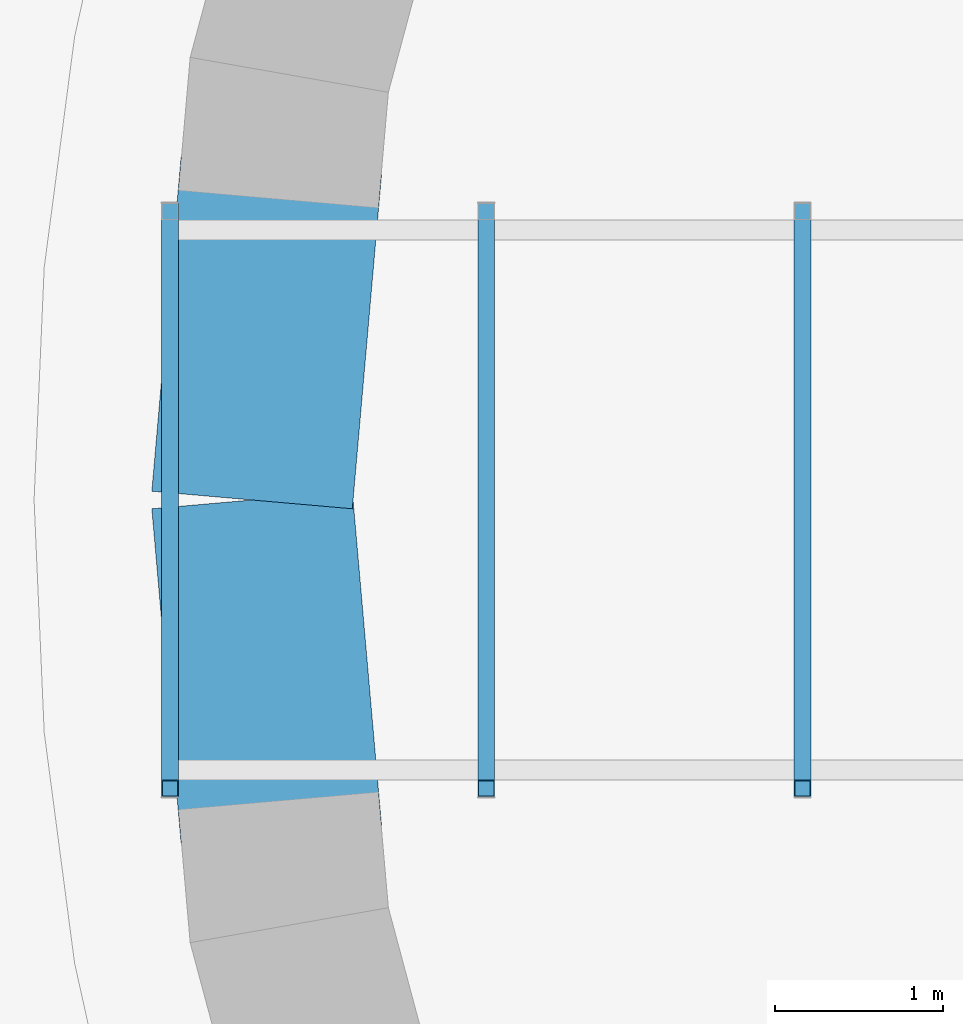
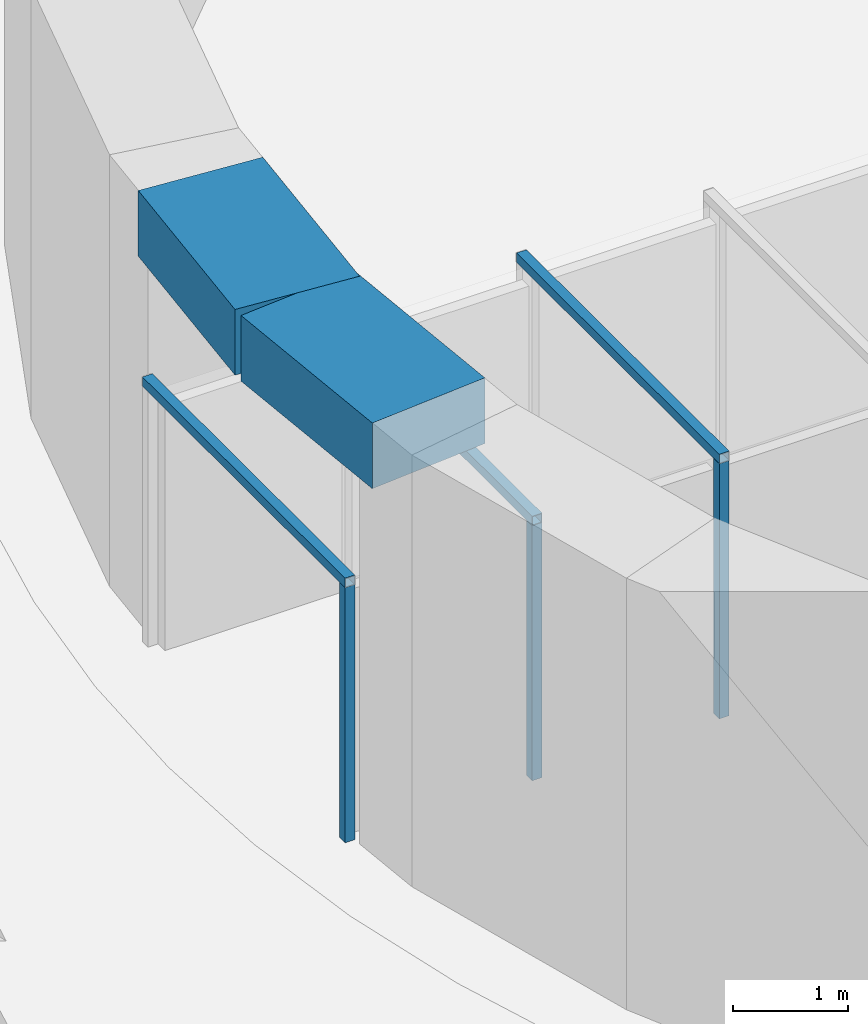
# One storey, part 7 of 85: 6 members, 2 beams, 1 element without a shape of its own.
"""IFC4 building model written with IfcOpenShell, lengths in metres."""

import ifcopenshell
import ifcopenshell.guid

model = None  # the IFC model being written
_history = None  # IfcOwnerHistory: only IFC2X3 demands one
_inside = {}  # id of a spatial element -> (the spatial element, [elements in it])
_under = {}  # id of a project, library or spatial element -> (it, [spatial elements below it])
_declared = {}  # id of a project -> (the project, [libraries it declares])
_typed = {}  # id of a type object -> (the type object, [elements of that type])
_made_of = {}  # id of a material, layer set ... -> (it, [elements and type objects made of it])


def new_model(schema):
    """Start an empty IFC model of exactly this schema.

    Asked for "IFC4X3", IfcOpenShell would pick the latest addendum, in which some entities
    have other attributes; the version numbers below select the first issue.
    IFC2X3 requires an IfcOwnerHistory on every rooted entity: one is made here for all.
    """
    global model, _history
    if schema == "IFC4X3":
        model = ifcopenshell.file(schema_version=(4, 3, 0, 0))
    else:
        model = ifcopenshell.file(schema=schema)
    _inside.clear()
    _under.clear()
    _declared.clear()
    _typed.clear()
    _made_of.clear()
    _history = None
    if model.schema == "IFC2X3":
        org = make("IfcOrganization", Name="unknown")
        user = make(
            "IfcPersonAndOrganization",
            ThePerson=make("IfcPerson", FamilyName="unknown"),
            TheOrganization=org,
        )
        app = make(
            "IfcApplication",
            ApplicationDeveloper=org,
            Version="unknown",
            ApplicationFullName="unknown",
            ApplicationIdentifier="unknown",
        )
        _history = make(
            "IfcOwnerHistory",
            OwningUser=user,
            OwningApplication=app,
            ChangeAction="ADDED",
            CreationDate=0,
        )
    return model


def make(cls, **values):
    """One entity of the class cls with the attributes given. An attribute that is None is left unset."""
    return model.create_entity(
        cls, **{name: value for name, value in values.items() if value is not None}
    )


def rooted(cls, **values):
    """An entity with a GlobalId (a new one), such as an element, a storey or a relation."""
    return make(cls, GlobalId=ifcopenshell.guid.new(), OwnerHistory=_history, **values)


def si_unit(unit_type, name, prefix=None):
    """IfcSIUnit, for example si_unit("LENGTHUNIT", "METRE", prefix="MILLI")."""
    return make("IfcSIUnit", UnitType=unit_type, Prefix=prefix, Name=name)


def assignment(units):
    """IfcUnitAssignment: the units of a project."""
    return None if units is None else make("IfcUnitAssignment", Units=units)


def point(xyz):
    """IfcCartesianPoint."""
    return None if xyz is None else make("IfcCartesianPoint", Coordinates=xyz)


def direction(xyz):
    """IfcDirection."""
    return None if xyz is None else make("IfcDirection", DirectionRatios=xyz)


def frame(location, z_axis=None, x_axis=None):
    """IfcAxis2Placement3D, a coordinate frame: its origin and axes. An axis left out is left unset."""
    return make(
        "IfcAxis2Placement3D",
        Location=point(location),
        Axis=direction(z_axis),
        RefDirection=direction(x_axis),
    )


def frame_2d(location, x_axis=None):
    """IfcAxis2Placement2D, a coordinate frame in the plane: its origin and x axis."""
    return make(
        "IfcAxis2Placement2D", Location=point(location), RefDirection=direction(x_axis)
    )


def origin():
    """The frame at (0, 0, 0) with its axes left unset."""
    return frame((0.0, 0.0, 0.0))


def origin_2d():
    """The frame at (0, 0) in the plane with its x axis left unset."""
    return frame_2d((0.0, 0.0))


def place(relative_to, where):
    """IfcLocalPlacement: puts the frame where relative to a parent placement (None: the world)."""
    return make(
        "IfcLocalPlacement", PlacementRelTo=relative_to, RelativePlacement=where
    )


def context(
    kind, dimensions, precision=None, world=None, true_north=None, identifier=None
):
    """IfcGeometricRepresentationContext, for example the 3D "Model" context."""
    return make(
        "IfcGeometricRepresentationContext",
        ContextIdentifier=identifier,
        ContextType=kind,
        CoordinateSpaceDimension=dimensions,
        Precision=precision,
        WorldCoordinateSystem=world,
        TrueNorth=true_north,
    )


def subcontext(parent, identifier, kind, view, scale=None):
    """IfcGeometricRepresentationSubContext, for example "Body" below "Model"."""
    return make(
        "IfcGeometricRepresentationSubContext",
        ContextIdentifier=identifier,
        ContextType=kind,
        ParentContext=parent,
        TargetScale=scale,
        TargetView=view,
    )


def project(units=None, contexts=None):
    """IfcProject with its units and contexts."""
    return rooted(
        "IfcProject",
        Name="project",
        RepresentationContexts=contexts,
        UnitsInContext=assignment(units),
    )


def spatial(cls, under=None, at=None, **own):
    """A site, building, storey or space (cls), placed at a placement, below another one or the project."""
    s = rooted(cls, ObjectPlacement=at, **own)
    if under is not None:
        _under.setdefault(under.id(), (under, []))[1].append(s)
    return s


def profile(cls, at=None, kind="AREA", **sizes):
    """A parametric profile (cls). Its sizes go by their IFC names, for example OverallWidth=200.0."""
    return make(cls, ProfileType=kind, Position=at, **sizes)


def rectangle(**sizes):
    """IfcRectangleProfileDef."""
    return profile("IfcRectangleProfileDef", **sizes)


def hollow_rectangle(**sizes):
    """IfcRectangleHollowProfileDef."""
    return profile("IfcRectangleHollowProfileDef", **sizes)


def extrude(swept, where, along, depth):
    """IfcExtrudedAreaSolid: the profile swept, set in the frame where, extruded along a direction by depth."""
    return make(
        "IfcExtrudedAreaSolid",
        SweptArea=swept,
        Position=where,
        ExtrudedDirection=direction(along),
        Depth=depth,
    )


def shape(context_of_items, identifier, shape_type, items):
    """IfcShapeRepresentation: the items that make up one representation, for example the "Body"."""
    return make(
        "IfcShapeRepresentation",
        ContextOfItems=context_of_items,
        RepresentationIdentifier=identifier,
        RepresentationType=shape_type,
        Items=items,
    )


def material(Name=None, Category=None):
    """IfcMaterial."""
    return make("IfcMaterial", Name=Name, Category=Category)


def material_profile(
    of_material, cross_section, Name=None, Category=None, Priority=None
):
    """IfcMaterialProfile: a cross section and its material."""
    return make(
        "IfcMaterialProfile",
        Name=Name,
        Material=of_material,
        Profile=cross_section,
        Priority=Priority,
        Category=Category,
    )


def profile_set(profiles, Name=None, composite=None):
    """IfcMaterialProfileSet."""
    return make(
        "IfcMaterialProfileSet",
        Name=Name,
        MaterialProfiles=profiles,
        CompositeProfile=composite,
    )


def made_of(thing, what):
    """Note that an element or type object is made of a material, layer set ...; save() writes the relation."""
    if what is not None:
        _made_of.setdefault(what.id(), (what, []))[1].append(thing)
    return thing


def type_object(cls, material=None, **own):
    """A type object (cls), such as IfcWallType, which elements share."""
    return made_of(rooted(cls, **own), material)


def element(
    cls,
    number,
    at=None,
    inside=None,
    cuts=None,
    type_object=None,
    material=None,
    context=None,
    identifier="Body",
    shape_type=None,
    held_by="IfcProductDefinitionShape",
    body=None,
    shapes=None,
    **own,
):
    """One element of the class cls, such as IfcWall. Its Tag is "e" and its number.

    at: its placement. inside: the storey or other place that contains it. cuts: it is an
    opening in that element (IfcRelVoidsElement). A single representation is given by context,
    identifier, shape_type and body (its items); several are given by shapes. held_by: the class
    of the entity that holds the representations. save() writes the other relations.
    """
    e = rooted(cls, Tag="e%d" % number, ObjectPlacement=at, **own)
    if body is not None:
        shapes = [shape(context, identifier, shape_type, body)]
    if shapes is not None:
        e.Representation = make(held_by, Representations=shapes)
    if inside is not None:
        _inside.setdefault(inside.id(), (inside, []))[1].append(e)
    if cuts is not None:
        rooted(
            "IfcRelVoidsElement", RelatingBuildingElement=cuts, RelatedOpeningElement=e
        )
    if type_object is not None:
        _typed.setdefault(type_object.id(), (type_object, []))[1].append(e)
    return made_of(e, material)


def aggregate(whole, parts):
    """IfcRelAggregates: a whole, such as a stair, and the parts it consists of."""
    return rooted("IfcRelAggregates", RelatingObject=whole, RelatedObjects=parts)


def save(model, path):
    """Write the relations noted so far, then the file.

    IfcRelAggregates (storeys below a building ...), IfcRelContainedInSpatialStructure (elements
    in a storey), IfcRelDefinesByType, IfcRelAssociatesMaterial and IfcRelDeclares: one each for
    every whole, place, type object, material and project.
    """
    for whole, parts in _under.values():
        aggregate(whole, parts)
    for where, things in _inside.values():
        rooted(
            "IfcRelContainedInSpatialStructure",
            RelatedElements=things,
            RelatingStructure=where,
        )
    for kind, things in _typed.values():
        rooted("IfcRelDefinesByType", RelatedObjects=things, RelatingType=kind)
    for what, things in _made_of.values():
        rooted("IfcRelAssociatesMaterial", RelatedObjects=things, RelatingMaterial=what)
    for by, libraries in _declared.values():
        rooted("IfcRelDeclares", RelatingContext=by, RelatedDefinitions=libraries)
    model.write(path)


model = new_model("IFC4")

# Units and contexts
model_context = context("Model", 3, precision=1e-05, world=origin(), true_north=direction((0.0, 1.0)))
body_context = subcontext(model_context, "Body", "Model", "MODEL_VIEW")
ifc_project = project(units=[si_unit("LENGTHUNIT", "METRE"), si_unit("AREAUNIT", "SQUARE_METRE"), si_unit("VOLUMEUNIT", "CUBIC_METRE"), si_unit("PLANEANGLEUNIT", "RADIAN"), si_unit("MASSUNIT", "GRAM", prefix="KILO")], contexts=[model_context])

# Site, building, storey
site_placement = place(None, origin())
site = spatial("IfcSite", under=ifc_project, at=site_placement, CompositionType="ELEMENT")
building_placement = place(site_placement, origin())
building = spatial("IfcBuilding", under=site, at=building_placement, Name="Volute Hill Aquarium", CompositionType="ELEMENT")
storey_placement = place(building_placement, origin())
storey = spatial("IfcBuildingStorey", under=building, at=storey_placement, Name="L01", CompositionType="ELEMENT", Elevation=0.0)

# Beams
ifc_material_1 = material(Name="Concrete C40/50", Category="concrete")
ifc_material_profile_1 = material_profile(ifc_material_1, rectangle(XDim=1.199951171875, YDim=0.699951171875, at=origin_2d()), Name="RC beam 1200x700")
ifc_profile_set_1 = profile_set([ifc_material_profile_1], Name="Concrete C40/50")
beam_type = type_object("IfcBeamType", Name="Tank portal lintel RC 1200x700", PredefinedType="BEAM", material=ifc_profile_set_1)
for number, where, z_axis, x_axis, name in (
    (1, (-14.42578125, 1.9921875, 4.25), (-0.087166950281, -0.996193717496, 0.0), (0.996193717496, -0.087166950281, 0.0), "bm/TK/L01/17"),
    (2, (-14.60009765625, 0.0, 4.25), (0.087166950281, -0.996193717496, 0.0), (0.996193717496, 0.087166950281, 0.0), "bm/TK/L01/18"),
):
    element("IfcBeam", number, at=place(storey_placement, frame(where, z_axis=z_axis, x_axis=x_axis)), inside=storey, type_object=beam_type, Name=name, PredefinedType="BEAM", context=body_context, shape_type="SweptSolid", body=[
        extrude(rectangle(XDim=1.199951171875, YDim=0.699951171875, at=origin_2d()), origin(), (0.0, 0.0, 1.0), 1.999755859375),
    ])

# Curtain wall, members
ifc_material_2 = material(Name="Acrylic PMMA")
curtain_wall_type = type_object("IfcCurtainWallType", Name="Viewing tunnel acrylic assembly", PredefinedType="NOTDEFINED", material=ifc_material_2)
curtain_wall_placement = place(storey_placement, origin())
curtain_wall = element("IfcCurtainWall", 3, at=curtain_wall_placement, inside=storey, type_object=curtain_wall_type, Name="Viewing tunnel acrylic assembly", PredefinedType="NOTDEFINED")
ifc_material_3 = material(Name="Steel S355", Category="steel")
ifc_material_profile_2 = material_profile(ifc_material_3, hollow_rectangle(XDim=0.10009765625, YDim=0.10009765625, WallThickness=0.0048828125, at=origin_2d()), Name="RHS 100x100x5")
ifc_profile_set_2 = profile_set([ifc_material_profile_2], Name="Steel S355")
member_type = type_object("IfcMemberType", Name="Tunnel ring frame post RHS 100x100x5 S355", PredefinedType="USERDEFINED", material=ifc_profile_set_2)
member_1_placement = place(storey_placement, frame((-15.090087890625, -1.719970703125, 0.0), z_axis=(0.0, 0.0, 1.0), x_axis=(1.0, 0.0, 0.0)))
member_1 = element("IfcMember", 4, at=member_1_placement, type_object=member_type, Name="Tunnel ring frame post 1", ObjectType="Tunnel frame", PredefinedType="USERDEFINED", context=body_context, shape_type="SweptSolid", body=[
    extrude(hollow_rectangle(XDim=0.10009765625, YDim=0.10009765625, WallThickness=0.0048828125, at=origin_2d()), origin(), (0.0, 0.0, 1.0), 2.719970703125),
])
member_2_placement = place(storey_placement, frame((-15.090087890625, -1.77001953125, 2.77001953125), z_axis=(0.0, 1.0, 0.0), x_axis=(-1.0, 0.0, 0.0)))
member_2 = element("IfcMember", 5, at=member_2_placement, type_object=member_type, Name="Tunnel ring frame head 1", ObjectType="Tunnel frame", PredefinedType="USERDEFINED", context=body_context, shape_type="SweptSolid", body=[
    extrude(hollow_rectangle(XDim=0.10009765625, YDim=0.10009765625, WallThickness=0.0048828125, at=origin_2d()), origin(), (0.0, 0.0, 1.0), 3.5400390625),
])
member_3_placement = place(storey_placement, frame((-13.203857421875, -1.719970703125, 0.0), z_axis=(0.0, 0.0, 1.0), x_axis=(1.0, 0.0, 0.0)))
member_3 = element("IfcMember", 6, at=member_3_placement, type_object=member_type, Name="Tunnel ring frame post 2", ObjectType="Tunnel frame", PredefinedType="USERDEFINED", context=body_context, shape_type="SweptSolid", body=[
    extrude(hollow_rectangle(XDim=0.10009765625, YDim=0.10009765625, WallThickness=0.0048828125, at=origin_2d()), origin(), (0.0, 0.0, 1.0), 2.719970703125),
])
member_4_placement = place(storey_placement, frame((-13.203857421875, -1.77001953125, 2.77001953125), z_axis=(0.0, 1.0, 0.0), x_axis=(-1.0, 0.0, 0.0)))
member_4 = element("IfcMember", 7, at=member_4_placement, type_object=member_type, Name="Tunnel ring frame head 2", ObjectType="Tunnel frame", PredefinedType="USERDEFINED", context=body_context, shape_type="SweptSolid", body=[
    extrude(hollow_rectangle(XDim=0.10009765625, YDim=0.10009765625, WallThickness=0.0048828125, at=origin_2d()), origin(), (0.0, 0.0, 1.0), 3.5400390625),
])
member_5_placement = place(storey_placement, frame((-11.3173828125, -1.719970703125, 0.0), z_axis=(0.0, 0.0, 1.0), x_axis=(1.0, 0.0, 0.0)))
member_5 = element("IfcMember", 8, at=member_5_placement, type_object=member_type, Name="Tunnel ring frame post 3", ObjectType="Tunnel frame", PredefinedType="USERDEFINED", context=body_context, shape_type="SweptSolid", body=[
    extrude(hollow_rectangle(XDim=0.10009765625, YDim=0.10009765625, WallThickness=0.0048828125, at=origin_2d()), origin(), (0.0, 0.0, 1.0), 2.719970703125),
])
member_6_placement = place(storey_placement, frame((-11.3173828125, -1.77001953125, 2.77001953125), z_axis=(0.0, 1.0, 0.0), x_axis=(-1.0, 0.0, 0.0)))
member_6 = element("IfcMember", 9, at=member_6_placement, type_object=member_type, Name="Tunnel ring frame head 3", ObjectType="Tunnel frame", PredefinedType="USERDEFINED", context=body_context, shape_type="SweptSolid", body=[
    extrude(hollow_rectangle(XDim=0.10009765625, YDim=0.10009765625, WallThickness=0.0048828125, at=origin_2d()), origin(), (0.0, 0.0, 1.0), 3.5400390625),
])
aggregate(curtain_wall, [member_1, member_2, member_3, member_4, member_5, member_6])

save(model, "model.ifc")
